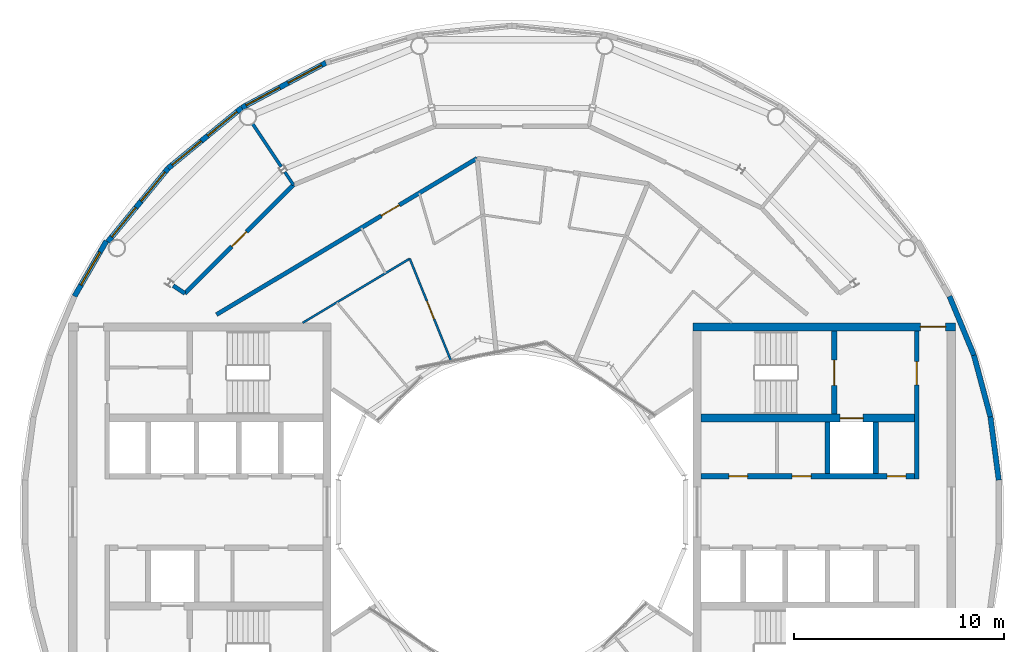
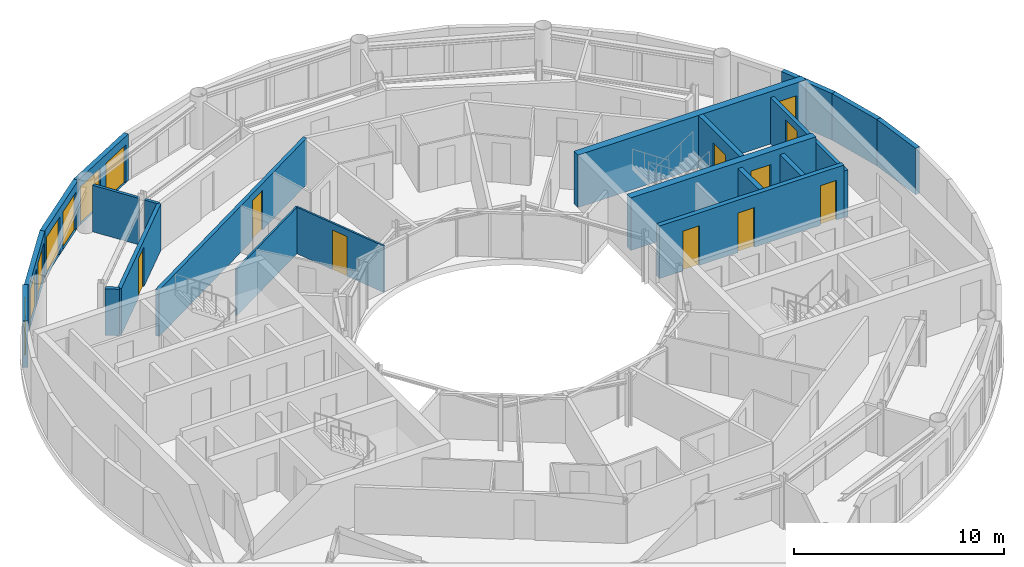
# One storey, part 12 of 17: 21 walls, 16 doors, 1 window, 17 openings.
"""IFC4 building model written with IfcOpenShell, lengths in metres."""

from ifc_helpers import new_model, si_unit, direction, frame, frame_2d, origin, place, context, subcontext, project, spatial, rectangle, extrude, material, layer, layer_set, type_object, element, fill, save


model = new_model("IFC4")

# Units and contexts
model_context = context("Model", 3, precision=1e-05, world=origin(), true_north=direction((0.0, 1.0)))
body_context = subcontext(model_context, "Body", "Model", "MODEL_VIEW")
ifc_project = project(units=[si_unit("LENGTHUNIT", "METRE"), si_unit("AREAUNIT", "SQUARE_METRE"), si_unit("VOLUMEUNIT", "CUBIC_METRE"), si_unit("PLANEANGLEUNIT", "RADIAN"), si_unit("MASSUNIT", "GRAM", prefix="KILO")], contexts=[model_context])

# Site, building, storey
site_placement = place(None, origin())
site = spatial("IfcSite", under=ifc_project, at=site_placement, CompositionType="ELEMENT")
building_placement = place(site_placement, origin())
building = spatial("IfcBuilding", under=site, at=building_placement, Name="Maasbend Ring Residences", CompositionType="ELEMENT")
storey_placement = place(building_placement, frame((0.0, 0.0, 249.300048828125)))
storey = spatial("IfcBuildingStorey", under=building, at=storey_placement, Name="L72", CompositionType="ELEMENT", Elevation=249.300048828125)

# Wall, openings, doors
ifc_material_1 = material(Name="Concrete C50/60", Category="concrete")
ifc_layer_1 = layer(ifc_material_1, 0.25)
ifc_layer_set_1 = layer_set([ifc_layer_1], Name="Concrete C50/60")
wall_type_1 = type_object("IfcWallType", Name="CORE WALL 250 C50/60", PredefinedType="SHEAR", material=ifc_layer_set_1)
wall_1_placement = place(storey_placement, frame((9.0, 1.699951171875, 0.0), z_axis=(0.0, 0.0, 1.0), x_axis=(1.0, 0.0, 0.0)))
wall_1 = element("IfcWall", 1, at=wall_1_placement, inside=storey, type_object=wall_type_1, Name="L72 core E wall SPN", PredefinedType="SHEAR", context=body_context, shape_type="SweptSolid", body=[
    extrude(rectangle(XDim=10.14990234375, YDim=0.25, at=frame_2d((5.074951171875, 0.0))), origin(), (0.0, 0.0, 1.0), 3.050048828125),
])
opening_1_placement = place(wall_1_placement, frame((1.3125, 0.0, 0.0)))
opening_1 = element("IfcOpeningElement", 2, at=opening_1_placement, cuts=wall_1, Name="Opening D-E7206", PredefinedType="OPENING", context=body_context, shape_type="SweptSolid", body=[
    extrude(rectangle(XDim=0.89990234375, YDim=2.300048828125, at=frame_2d((0.449951171875, 1.14990234375))), frame((0.0, 0.135009765625, 0.0), z_axis=(0.0, -1.0, 0.0), x_axis=(1.0, 0.0, 0.0)), (0.0, 0.0, 1.0), 0.27001953125),
])
opening_2_placement = place(wall_1_placement, frame((4.324951171875, 0.0, 0.0)))
opening_2 = element("IfcOpeningElement", 3, at=opening_2_placement, cuts=wall_1, Name="Opening D-E7207", PredefinedType="OPENING", context=body_context, shape_type="SweptSolid", body=[
    extrude(rectangle(XDim=0.89990234375, YDim=2.300048828125, at=frame_2d((0.449951171875, 1.14990234375))), frame((0.0, 0.135009765625, 0.0), z_axis=(0.0, -1.0, 0.0), x_axis=(1.0, 0.0, 0.0)), (0.0, 0.0, 1.0), 0.27001953125),
])
opening_3_placement = place(wall_1_placement, frame((8.83740234375, 0.0, 0.0)))
opening_3 = element("IfcOpeningElement", 4, at=opening_3_placement, cuts=wall_1, Name="Opening D-E7208", PredefinedType="OPENING", context=body_context, shape_type="SweptSolid", body=[
    extrude(rectangle(XDim=0.89990234375, YDim=2.300048828125, at=frame_2d((0.449951171875, 1.14990234375))), frame((0.0, 0.135009765625, 0.0), z_axis=(0.0, -1.0, 0.0), x_axis=(1.0, 0.0, 0.0)), (0.0, 0.0, 1.0), 0.27001953125),
])
ifc_material_2 = material(Name="Steel, powder coated", Category="steel")
door_type_1 = type_object("IfcDoorType", Name="ROOM DOOR 900 X 2300 FD30S", OperationType="NOTDEFINED", PredefinedType="DOOR", material=ifc_material_2)
door_1_placement = place(opening_1_placement, origin())
door_1 = element("IfcDoor", 5, at=door_1_placement, inside=storey, type_object=door_type_1, Name="Room door L72", OperationType="SINGLE_SWING_RIGHT", OverallHeight=2.300048828125, OverallWidth=0.89990234375, PredefinedType="DOOR", context=body_context, shape_type="SweptSolid", body=[
    extrude(rectangle(XDim=0.89990234375, YDim=2.300048828125, at=frame_2d((0.449951171875, 1.14990234375))), frame((0.0, 0.02490234375, 0.0), z_axis=(0.0, -1.0, 0.0), x_axis=(1.0, 0.0, 0.0)), (0.0, 0.0, 1.0), 0.050048828125),
])
fill(opening_1, door_1)
door_2_placement = place(opening_2_placement, origin())
door_2 = element("IfcDoor", 6, at=door_2_placement, inside=storey, type_object=door_type_1, Name="Room door L72", OperationType="SINGLE_SWING_RIGHT", OverallHeight=2.300048828125, OverallWidth=0.89990234375, PredefinedType="DOOR", context=body_context, shape_type="SweptSolid", body=[
    extrude(rectangle(XDim=0.89990234375, YDim=2.300048828125, at=frame_2d((0.449951171875, 1.14990234375))), frame((0.0, 0.02490234375, 0.0), z_axis=(0.0, -1.0, 0.0), x_axis=(1.0, 0.0, 0.0)), (0.0, 0.0, 1.0), 0.050048828125),
])
fill(opening_2, door_2)
door_3_placement = place(opening_3_placement, origin())
door_3 = element("IfcDoor", 7, at=door_3_placement, inside=storey, type_object=door_type_1, Name="Room door L72", OperationType="SINGLE_SWING_LEFT", OverallHeight=2.300048828125, OverallWidth=0.89990234375, PredefinedType="DOOR", context=body_context, shape_type="SweptSolid", body=[
    extrude(rectangle(XDim=0.89990234375, YDim=2.300048828125, at=frame_2d((0.449951171875, 1.14990234375))), frame((0.0, 0.02490234375, 0.0), z_axis=(0.0, -1.0, 0.0), x_axis=(1.0, 0.0, 0.0)), (0.0, 0.0, 1.0), 0.050048828125),
])
fill(opening_3, door_3)

# Wall, opening, door
wall_2_placement = place(storey_placement, frame((15.324951171875, 4.64990234375, 0.0), z_axis=(0.0, 0.0, 1.0), x_axis=(0.0, 1.0, 0.0)))
wall_2 = element("IfcWall", 8, at=wall_2_placement, inside=storey, type_object=wall_type_1, Name="L72 core E wall STEN", PredefinedType="SHEAR", context=body_context, shape_type="SweptSolid", body=[
    extrude(rectangle(XDim=3.9501953125, YDim=0.25, at=frame_2d((1.97509765625, 0.0))), origin(), (0.0, 0.0, 1.0), 3.050048828125),
])
opening_4_placement = place(wall_2_placement, frame((1.375, 0.0, 0.0)))
opening_4 = element("IfcOpeningElement", 9, at=opening_4_placement, cuts=wall_2, Name="Opening D-E7211", PredefinedType="OPENING", context=body_context, shape_type="SweptSolid", body=[
    extrude(rectangle(XDim=1.199951171875, YDim=2.300048828125, at=frame_2d((0.60009765625, 1.14990234375))), frame((0.0, 0.135009765625, 0.0), z_axis=(0.0, -1.0, 0.0), x_axis=(1.0, 0.0, 0.0)), (0.0, 0.0, 1.0), 0.27001953125),
])
ifc_material_3 = material(Name="Steel, powder coated", Category="steel")
door_type_2 = type_object("IfcDoorType", Name="STAIR DOOR 1200 X 2300 FD60", OperationType="NOTDEFINED", PredefinedType="DOOR", material=ifc_material_3)
door_4_placement = place(opening_4_placement, origin())
door_4 = element("IfcDoor", 10, at=door_4_placement, inside=storey, type_object=door_type_2, Name="Stair door ST-E L72", OperationType="SINGLE_SWING_LEFT", OverallHeight=2.300048828125, OverallWidth=1.199951171875, PredefinedType="DOOR", context=body_context, shape_type="SweptSolid", body=[
    extrude(rectangle(XDim=1.199951171875, YDim=2.300048828125, at=frame_2d((0.60009765625, 1.14990234375))), frame((0.0, 0.02490234375, 0.0), z_axis=(0.0, -1.0, 0.0), x_axis=(1.0, 0.0, 0.0)), (0.0, 0.0, 1.0), 0.050048828125),
])
fill(opening_4, door_4)

ifc_material_4 = material(Name="Concrete C50/60", Category="concrete")
ifc_layer_2 = layer(ifc_material_4, 0.375)
ifc_layer_set_2 = layer_set([ifc_layer_2], Name="Concrete C50/60")
wall_type_2 = type_object("IfcWallType", Name="CORE WALL 375 C50/60", PredefinedType="SHEAR", material=ifc_layer_set_2)
wall_3_placement = place(storey_placement, frame((9.0, 4.46240234375, 0.0), z_axis=(0.0, 0.0, 1.0), x_axis=(1.0, 0.0, 0.0)))
wall_3 = element("IfcWall", 11, at=wall_3_placement, inside=storey, type_object=wall_type_2, Name="L72 core E wall BN", PredefinedType="SHEAR", context=body_context, shape_type="SweptSolid", body=[
    extrude(rectangle(XDim=10.14990234375, YDim=0.375, at=frame_2d((5.074951171875, 0.0))), origin(), (0.0, 0.0, 1.0), 3.050048828125),
])
opening_5_placement = place(wall_3_placement, frame((6.60009765625, 0.0, 0.0)))
opening_5 = element("IfcOpeningElement", 12, at=opening_5_placement, cuts=wall_3, Name="Opening LD-E7201", PredefinedType="OPENING", context=body_context, shape_type="SweptSolid", body=[
    extrude(rectangle(XDim=1.10009765625, YDim=2.300048828125, at=frame_2d((0.550048828125, 1.14990234375))), frame((0.0, 0.197509765625, 0.0), z_axis=(0.0, -1.0, 0.0), x_axis=(1.0, 0.0, 0.0)), (0.0, 0.0, 1.0), 0.39501953125),
])
ifc_material_5 = material(Name="Stainless steel 316", Category="steel")
door_type_3 = type_object("IfcDoorType", Name="LANDING DOOR 1100 X 2300 FD60", OperationType="DOUBLE_DOOR_SLIDING", PredefinedType="DOOR", material=ifc_material_5)
door_5_placement = place(opening_5_placement, origin())
door_5 = element("IfcDoor", 13, at=door_5_placement, inside=storey, type_object=door_type_3, Name="Landing door FF-E L72", OperationType="DOUBLE_DOOR_SLIDING", OverallHeight=2.300048828125, OverallWidth=1.10009765625, PredefinedType="DOOR", context=body_context, shape_type="SweptSolid", body=[
    extrude(rectangle(XDim=1.10009765625, YDim=2.300048828125, at=frame_2d((0.550048828125, 1.14990234375))), frame((0.0, 0.02490234375, 0.0), z_axis=(0.0, -1.0, 0.0), x_axis=(1.0, 0.0, 0.0)), (0.0, 0.0, 1.0), 0.050048828125),
])
fill(opening_5, door_5)

ifc_material_6 = material(Name="Concrete C50/60", Category="concrete")
ifc_layer_3 = layer(ifc_material_6, 0.39990234375)
ifc_layer_set_3 = layer_set([ifc_layer_3], Name="Concrete C50/60")
wall_type_3 = type_object("IfcWallType", Name="CORE WALL 400 C50/60", PredefinedType="SHEAR", material=ifc_layer_set_3)
wall_4_placement = place(storey_placement, frame((21.10009765625, 8.800048828125, 0.0), z_axis=(0.0, 0.0, 1.0), x_axis=(-1.0, 0.0, 0.0)))
wall_4 = element("IfcWall", 14, at=wall_4_placement, inside=storey, type_object=wall_type_3, Name="L72 core E wall PN", PredefinedType="SHEAR", context=body_context, shape_type="SweptSolid", body=[
    extrude(rectangle(XDim=12.5, YDim=0.39990234375, at=frame_2d((6.25, 0.0))), origin(), (0.0, 0.0, 1.0), 3.050048828125),
])
opening_6_placement = place(wall_4_placement, frame((0.47509765625, 0.0, 0.0)))
opening_6 = element("IfcOpeningElement", 15, at=opening_6_placement, cuts=wall_4, Name="Opening D-E7215", PredefinedType="OPENING", context=body_context, shape_type="SweptSolid", body=[
    extrude(rectangle(XDim=1.199951171875, YDim=2.300048828125, at=frame_2d((0.60009765625, 1.14990234375))), frame((0.0, 0.2099609375, 0.0), z_axis=(0.0, -1.0, 0.0), x_axis=(1.0, 0.0, 0.0)), (0.0, 0.0, 1.0), 0.419921875),
])
ifc_material_7 = material(Name="Steel, powder coated", Category="steel")
door_type_4 = type_object("IfcDoorType", Name="CORRIDOR DOOR 1200 X 2300 FD30S", OperationType="NOTDEFINED", PredefinedType="DOOR", material=ifc_material_7)
door_6_placement = place(opening_6_placement, origin())
door_6 = element("IfcDoor", 16, at=door_6_placement, inside=storey, type_object=door_type_4, Name="Corridor door L72", OperationType="SINGLE_SWING_RIGHT", OverallHeight=2.300048828125, OverallWidth=1.199951171875, PredefinedType="DOOR", context=body_context, shape_type="SweptSolid", body=[
    extrude(rectangle(XDim=1.199951171875, YDim=2.300048828125, at=frame_2d((0.60009765625, 1.14990234375))), frame((0.0, 0.02490234375, 0.0), z_axis=(0.0, -1.0, 0.0), x_axis=(1.0, 0.0, 0.0)), (0.0, 0.0, 1.0), 0.050048828125),
])
fill(opening_6, door_6)

# Wall
ifc_material_8 = material(Name="Concrete C30/37", Category="concrete")
ifc_layer_4 = layer(ifc_material_8, 0.199951171875)
ifc_layer_set_4 = layer_set([ifc_layer_4], Name="Concrete C30/37")
wall_type_4 = type_object("IfcWallType", Name="CORRIDOR WALL 200 CONCRETE", PredefinedType="PARTITIONING", material=ifc_layer_set_4)
wall_5_placement = place(storey_placement, frame((-16.114013671875, 10.76708984375, 0.0), z_axis=(0.0, 0.0, 1.0), x_axis=(0.831601508083, -0.555372786292, 0.0)))
element("IfcWall", 17, at=wall_5_placement, inside=storey, type_object=wall_type_4, Name="U-L72-w018", PredefinedType="PARTITIONING", context=body_context, shape_type="SweptSolid", body=[
    extrude(rectangle(XDim=0.669921875, YDim=0.199951171875, at=frame_2d((0.3349609375, 0.0))), origin(), (0.0, 0.0, 1.0), 2.699951171875),
])

# Wall, opening, door
wall_6_placement = place(storey_placement, frame((-14.052001953125, 9.388916015625, 0.0), z_axis=(0.0, 0.0, 1.0), x_axis=(0.857683679102, 0.51417769944, 0.0)))
wall_6 = element("IfcWall", 18, at=wall_6_placement, inside=storey, type_object=wall_type_4, Name="U-L72-w063", PredefinedType="PARTITIONING", context=body_context, shape_type="SweptSolid", body=[
    extrude(rectangle(XDim=14.45068359375, YDim=0.199951171875, at=frame_2d((7.225341796875, 0.0))), origin(), (0.0, 0.0, 1.0), 2.699951171875),
])
opening_7_placement = place(wall_6_placement, frame((9.134033203125, 0.0, 0.0)))
opening_7 = element("IfcOpeningElement", 19, at=opening_7_placement, cuts=wall_6, Name="Opening D-7218", PredefinedType="OPENING", context=body_context, shape_type="SweptSolid", body=[
    extrude(rectangle(XDim=1.0, YDim=2.300048828125, at=frame_2d((0.5, 1.14990234375))), frame((0.0, 0.10986328125, 0.0), z_axis=(0.0, -1.0, 0.0), x_axis=(1.0, 0.0, 0.0)), (0.0, 0.0, 1.0), 0.219970703125),
])
ifc_material_9 = material(Name="Timber, fire-rated, painted", Category="wood")
door_type_5 = type_object("IfcDoorType", Name="FLAT ENTRANCE DOOR 1000 X 2300 FIRE-RATED", OperationType="NOTDEFINED", PredefinedType="DOOR", material=ifc_material_9)
door_7_placement = place(opening_7_placement, origin())
door_7 = element("IfcDoor", 20, at=door_7_placement, inside=storey, type_object=door_type_5, Name="D-7218", OperationType="SINGLE_SWING_RIGHT", OverallHeight=2.300048828125, OverallWidth=1.0, PredefinedType="DOOR", context=body_context, shape_type="SweptSolid", body=[
    extrude(rectangle(XDim=1.0, YDim=2.300048828125, at=frame_2d((0.5, 1.14990234375))), frame((0.0, 0.02490234375, 0.0), z_axis=(0.0, -1.0, 0.0), x_axis=(1.0, 0.0, 0.0)), (0.0, 0.0, 1.0), 0.050048828125),
])
fill(opening_7, door_7)

wall_7_placement = place(storey_placement, frame((-15.556884765625, 10.39501953125, 0.0), z_axis=(0.0, 0.0, 1.0), x_axis=(0.707106781187, 0.707106781187, 0.0)))
wall_7 = element("IfcWall", 21, at=wall_7_placement, inside=storey, type_object=wall_type_4, Name="U-L72-w067", PredefinedType="PARTITIONING", context=body_context, shape_type="SweptSolid", body=[
    extrude(rectangle(XDim=7.300048828125, YDim=0.199951171875, at=frame_2d((3.64990234375, 0.0))), origin(), (0.0, 0.0, 1.0), 2.699951171875),
])
opening_8_placement = place(wall_7_placement, frame((3.14990234375, 0.0, 0.0)))
opening_8 = element("IfcOpeningElement", 22, at=opening_8_placement, cuts=wall_7, Name="Opening D-7205", PredefinedType="OPENING", context=body_context, shape_type="SweptSolid", body=[
    extrude(rectangle(XDim=1.0, YDim=2.300048828125, at=frame_2d((0.5, 1.14990234375))), frame((0.0, 0.10986328125, 0.0), z_axis=(0.0, -1.0, 0.0), x_axis=(1.0, 0.0, 0.0)), (0.0, 0.0, 1.0), 0.219970703125),
])
ifc_material_10 = material(Name="Timber, painted", Category="wood")
door_type_6 = type_object("IfcDoorType", Name="ROOM DOOR 1000 X 2300", OperationType="NOTDEFINED", PredefinedType="DOOR", material=ifc_material_10)
door_8_placement = place(opening_8_placement, origin())
door_8 = element("IfcDoor", 23, at=door_8_placement, inside=storey, type_object=door_type_6, Name="D-7205", OperationType="SINGLE_SWING_LEFT", OverallHeight=2.300048828125, OverallWidth=1.0, PredefinedType="DOOR", context=body_context, shape_type="SweptSolid", body=[
    extrude(rectangle(XDim=1.0, YDim=2.300048828125, at=frame_2d((0.5, 1.14990234375))), frame((0.0, 0.02490234375, 0.0), z_axis=(0.0, -1.0, 0.0), x_axis=(1.0, 0.0, 0.0)), (0.0, 0.0, 1.0), 0.050048828125),
])
fill(opening_8, door_8)

# Wall, openings, doors
ifc_material_11 = material(Name="Aluminium clad insulated panel", Category="aluminium")
ifc_layer_5 = layer(ifc_material_11, 0.25)
ifc_layer_set_5 = layer_set([ifc_layer_5], Name="EW-GL")
wall_type_5 = type_object("IfcWallType", Name="EW-GL", PredefinedType="SOLIDWALL", material=ifc_layer_set_5)
wall_8_placement = place(storey_placement, frame((-8.85009765625, 21.364990234375, 0.0), z_axis=(0.0, 0.0, 1.0), x_axis=(-0.881912752543, -0.471412660947, 0.0)))
wall_8 = element("IfcWall", 24, at=wall_8_placement, inside=storey, type_object=wall_type_5, Name="External wall N08", PredefinedType="SOLIDWALL", context=body_context, shape_type="SweptSolid", body=[
    extrude(rectangle(XDim=4.533203125, YDim=0.25, at=frame_2d((2.2666015625, 0.0))), origin(), (0.0, 0.0, 1.0), 2.699951171875),
])
opening_9_placement = place(wall_8_placement, frame((0.236083984375, 0.0, 0.0)))
opening_9 = element("IfcOpeningElement", 25, at=opening_9_placement, cuts=wall_8, Name="Opening D-TR", PredefinedType="OPENING", context=body_context, shape_type="SweptSolid", body=[
    extrude(rectangle(XDim=1.800048828125, YDim=2.199951171875, at=frame_2d((0.89990234375, 1.10009765625))), frame((0.0, 0.135009765625, 0.0), z_axis=(0.0, -1.0, 0.0), x_axis=(1.0, 0.0, 0.0)), (0.0, 0.0, 1.0), 0.27001953125),
])
opening_10_placement = place(wall_8_placement, frame((2.497314453125, 0.0, 0.0)))
opening_10 = element("IfcOpeningElement", 26, at=opening_10_placement, cuts=wall_8, Name="Opening D-TR", PredefinedType="OPENING", context=body_context, shape_type="SweptSolid", body=[
    extrude(rectangle(XDim=1.800048828125, YDim=2.199951171875, at=frame_2d((0.89990234375, 1.10009765625))), frame((0.0, 0.135009765625, 0.0), z_axis=(0.0, -1.0, 0.0), x_axis=(1.0, 0.0, 0.0)), (0.0, 0.0, 1.0), 0.27001953125),
])
ifc_material_12 = material(Name="Aluminium and clear glass", Category="aluminium")
door_type_7 = type_object("IfcDoorType", Name="D-TR", OperationType="DOUBLE_DOOR_SINGLE_SWING", PredefinedType="DOOR", material=ifc_material_12)
door_9_placement = place(opening_9_placement, origin())
door_9 = element("IfcDoor", 27, at=door_9_placement, inside=storey, type_object=door_type_7, Name="Terrace door N15", OperationType="SINGLE_SWING_LEFT", OverallHeight=2.199951171875, OverallWidth=1.800048828125, PredefinedType="DOOR", context=body_context, shape_type="SweptSolid", body=[
    extrude(rectangle(XDim=1.800048828125, YDim=2.199951171875, at=frame_2d((0.89990234375, 1.10009765625))), frame((0.0, 0.02490234375, 0.0), z_axis=(0.0, -1.0, 0.0), x_axis=(1.0, 0.0, 0.0)), (0.0, 0.0, 1.0), 0.050048828125),
])
fill(opening_9, door_9)
door_10_placement = place(opening_10_placement, origin())
door_10 = element("IfcDoor", 28, at=door_10_placement, inside=storey, type_object=door_type_7, Name="Terrace door N16", OperationType="SINGLE_SWING_LEFT", OverallHeight=2.199951171875, OverallWidth=1.800048828125, PredefinedType="DOOR", context=body_context, shape_type="SweptSolid", body=[
    extrude(rectangle(XDim=1.800048828125, YDim=2.199951171875, at=frame_2d((0.89990234375, 1.10009765625))), frame((0.0, 0.02490234375, 0.0), z_axis=(0.0, -1.0, 0.0), x_axis=(1.0, 0.0, 0.0)), (0.0, 0.0, 1.0), 0.050048828125),
])
fill(opening_10, door_10)

wall_9_placement = place(storey_placement, frame((-12.847900390625, 19.22802734375, 0.0), z_axis=(0.0, 0.0, 1.0), x_axis=(-0.772989395532, -0.634418942337, 0.0)))
wall_9 = element("IfcWall", 29, at=wall_9_placement, inside=storey, type_object=wall_type_5, Name="External wall N09", PredefinedType="SOLIDWALL", context=body_context, shape_type="SweptSolid", body=[
    extrude(rectangle(XDim=4.533203125, YDim=0.25, at=frame_2d((2.2666015625, 0.0))), origin(), (0.0, 0.0, 1.0), 2.699951171875),
])
opening_11_placement = place(wall_9_placement, frame((0.300048828125, 0.0, 0.0)))
opening_11 = element("IfcOpeningElement", 30, at=opening_11_placement, cuts=wall_9, Name="Opening D-TR", PredefinedType="OPENING", context=body_context, shape_type="SweptSolid", body=[
    extrude(rectangle(XDim=1.800048828125, YDim=2.199951171875, at=frame_2d((0.89990234375, 1.10009765625))), frame((0.0, 0.135009765625, 0.0), z_axis=(0.0, -1.0, 0.0), x_axis=(1.0, 0.0, 0.0)), (0.0, 0.0, 1.0), 0.27001953125),
])
opening_12_placement = place(wall_9_placement, frame((2.497314453125, 0.0, 0.0)))
opening_12 = element("IfcOpeningElement", 31, at=opening_12_placement, cuts=wall_9, Name="Opening D-TR", PredefinedType="OPENING", context=body_context, shape_type="SweptSolid", body=[
    extrude(rectangle(XDim=1.800048828125, YDim=2.199951171875, at=frame_2d((0.89990234375, 1.10009765625))), frame((0.0, 0.135009765625, 0.0), z_axis=(0.0, -1.0, 0.0), x_axis=(1.0, 0.0, 0.0)), (0.0, 0.0, 1.0), 0.27001953125),
])
door_11_placement = place(opening_11_placement, origin())
door_11 = element("IfcDoor", 32, at=door_11_placement, inside=storey, type_object=door_type_7, Name="Terrace door N17", OperationType="SINGLE_SWING_LEFT", OverallHeight=2.199951171875, OverallWidth=1.800048828125, PredefinedType="DOOR", context=body_context, shape_type="SweptSolid", body=[
    extrude(rectangle(XDim=1.800048828125, YDim=2.199951171875, at=frame_2d((0.89990234375, 1.10009765625))), frame((0.0, 0.02490234375, 0.0), z_axis=(0.0, -1.0, 0.0), x_axis=(1.0, 0.0, 0.0)), (0.0, 0.0, 1.0), 0.050048828125),
])
fill(opening_11, door_11)
door_12_placement = place(opening_12_placement, origin())
door_12 = element("IfcDoor", 33, at=door_12_placement, inside=storey, type_object=door_type_7, Name="Terrace door N18", OperationType="SINGLE_SWING_LEFT", OverallHeight=2.199951171875, OverallWidth=1.800048828125, PredefinedType="DOOR", context=body_context, shape_type="SweptSolid", body=[
    extrude(rectangle(XDim=1.800048828125, YDim=2.199951171875, at=frame_2d((0.89990234375, 1.10009765625))), frame((0.0, 0.02490234375, 0.0), z_axis=(0.0, -1.0, 0.0), x_axis=(1.0, 0.0, 0.0)), (0.0, 0.0, 1.0), 0.050048828125),
])
fill(opening_12, door_12)

wall_10_placement = place(storey_placement, frame((-16.35205078125, 16.35205078125, 0.0), z_axis=(0.0, 0.0, 1.0), x_axis=(-0.634418942337, -0.772989395532, 0.0)))
wall_10 = element("IfcWall", 34, at=wall_10_placement, inside=storey, type_object=wall_type_5, Name="External wall N10", PredefinedType="SOLIDWALL", context=body_context, shape_type="SweptSolid", body=[
    extrude(rectangle(XDim=4.533203125, YDim=0.25, at=frame_2d((2.2666015625, 0.0))), origin(), (0.0, 0.0, 1.0), 2.699951171875),
])
opening_13_placement = place(wall_10_placement, frame((0.236083984375, 0.0, 0.0)))
opening_13 = element("IfcOpeningElement", 35, at=opening_13_placement, cuts=wall_10, Name="Opening D-TR", PredefinedType="OPENING", context=body_context, shape_type="SweptSolid", body=[
    extrude(rectangle(XDim=1.800048828125, YDim=2.199951171875, at=frame_2d((0.89990234375, 1.10009765625))), frame((0.0, 0.135009765625, 0.0), z_axis=(0.0, -1.0, 0.0), x_axis=(1.0, 0.0, 0.0)), (0.0, 0.0, 1.0), 0.27001953125),
])
opening_14_placement = place(wall_10_placement, frame((2.4267578125, 0.0, 0.0)))
opening_14 = element("IfcOpeningElement", 36, at=opening_14_placement, cuts=wall_10, Name="Opening D-TR", PredefinedType="OPENING", context=body_context, shape_type="SweptSolid", body=[
    extrude(rectangle(XDim=1.800048828125, YDim=2.199951171875, at=frame_2d((0.89990234375, 1.10009765625))), frame((0.0, 0.135009765625, 0.0), z_axis=(0.0, -1.0, 0.0), x_axis=(1.0, 0.0, 0.0)), (0.0, 0.0, 1.0), 0.27001953125),
])
door_13_placement = place(opening_13_placement, origin())
door_13 = element("IfcDoor", 37, at=door_13_placement, inside=storey, type_object=door_type_7, Name="Terrace door N19", OperationType="SINGLE_SWING_LEFT", OverallHeight=2.199951171875, OverallWidth=1.800048828125, PredefinedType="DOOR", context=body_context, shape_type="SweptSolid", body=[
    extrude(rectangle(XDim=1.800048828125, YDim=2.199951171875, at=frame_2d((0.89990234375, 1.10009765625))), frame((0.0, 0.02490234375, 0.0), z_axis=(0.0, -1.0, 0.0), x_axis=(1.0, 0.0, 0.0)), (0.0, 0.0, 1.0), 0.050048828125),
])
fill(opening_13, door_13)
door_14_placement = place(opening_14_placement, origin())
door_14 = element("IfcDoor", 38, at=door_14_placement, inside=storey, type_object=door_type_7, Name="Terrace door N20", OperationType="SINGLE_SWING_LEFT", OverallHeight=2.199951171875, OverallWidth=1.800048828125, PredefinedType="DOOR", context=body_context, shape_type="SweptSolid", body=[
    extrude(rectangle(XDim=1.800048828125, YDim=2.199951171875, at=frame_2d((0.89990234375, 1.10009765625))), frame((0.0, 0.02490234375, 0.0), z_axis=(0.0, -1.0, 0.0), x_axis=(1.0, 0.0, 0.0)), (0.0, 0.0, 1.0), 0.050048828125),
])
fill(opening_14, door_14)

# Wall, opening, window
ifc_material_13 = material(Name="Aluminium clad insulated panel", Category="aluminium")
ifc_layer_6 = layer(ifc_material_13, 0.25)
ifc_layer_set_6 = layer_set([ifc_layer_6], Name="EW-HORN")
wall_type_6 = type_object("IfcWallType", Name="EW-HORN", PredefinedType="SOLIDWALL", material=ifc_layer_set_6)
wall_11_placement = place(storey_placement, frame((-19.2900390625, 12.888916015625, 0.0), z_axis=(0.0, 0.0, 1.0), x_axis=(-0.499903546559, -0.866081084043, 0.0)))
wall_11 = element("IfcWall", 39, at=wall_11_placement, inside=storey, type_object=wall_type_6, Name="Horn wall 2.1", PredefinedType="SOLIDWALL", context=body_context, shape_type="SweptSolid", body=[
    extrude(rectangle(XDim=3.0341796875, YDim=0.25, at=frame_2d((1.51708984375, 0.0))), origin(), (0.0, 0.0, 1.0), 2.699951171875),
])
opening_15_placement = place(wall_11_placement, frame((0.617431640625, 0.0, 0.300048828125)))
opening_15 = element("IfcOpeningElement", 40, at=opening_15_placement, cuts=wall_11, Name="Opening W-BX", PredefinedType="OPENING", context=body_context, shape_type="SweptSolid", body=[
    extrude(rectangle(XDim=1.800048828125, YDim=2.10009765625, at=frame_2d((0.89990234375, 1.050048828125))), frame((0.0, 0.135009765625, 0.0), z_axis=(0.0, -1.0, 0.0), x_axis=(1.0, 0.0, 0.0)), (0.0, 0.0, 1.0), 0.27001953125),
])
ifc_material_14 = material(Name="Aluminium and clear glass", Category="aluminium")
window_type = type_object("IfcWindowType", Name="W-BX", PartitioningType="DOUBLE_PANEL_VERTICAL", PredefinedType="WINDOW", material=ifc_material_14)
window_placement = place(opening_15_placement, origin())
window = element("IfcWindow", 41, at=window_placement, inside=storey, type_object=window_type, Name="Horn window 2.1", OverallHeight=2.10009765625, OverallWidth=1.800048828125, PartitioningType="SINGLE_PANEL", PredefinedType="WINDOW", context=body_context, shape_type="SweptSolid", body=[
    extrude(rectangle(XDim=1.800048828125, YDim=2.10009765625, at=frame_2d((0.89990234375, 1.050048828125))), frame((0.0, 0.030029296875, 0.0), z_axis=(0.0, -1.0, 0.0), x_axis=(1.0, 0.0, 0.0)), (0.0, 0.0, 1.0), 0.06005859375),
])
fill(opening_15, window)

# Walls
ifc_material_15 = material(Name="Louvred aluminium panel", Category="aluminium")
ifc_layer_7 = layer(ifc_material_15, 0.25)
ifc_layer_set_7 = layer_set([ifc_layer_7], Name="EW-LV")
wall_type_7 = type_object("IfcWallType", Name="EW-LV", PredefinedType="SOLIDWALL", material=ifc_layer_set_7)
wall_12_placement = place(storey_placement, frame((23.14990234375, 1.51708984375, 0.0), z_axis=(0.0, 0.0, 1.0), x_axis=(-0.130487809173, 0.991449913842, 0.0)))
element("IfcWall", 42, at=wall_12_placement, inside=storey, type_object=wall_type_7, Name="Horn wall 1.6", PredefinedType="SOLIDWALL", context=body_context, shape_type="SweptSolid", body=[
    extrude(rectangle(XDim=3.03466796875, YDim=0.25, at=frame_2d((1.517333984375, 0.0))), origin(), (0.0, 0.0, 1.0), 2.699951171875),
])
wall_13_placement = place(storey_placement, frame((22.75390625, 4.52587890625, 0.0), z_axis=(0.0, 0.0, 1.0), x_axis=(-0.258669057101, 0.965966002972, 0.0)))
element("IfcWall", 43, at=wall_13_placement, inside=storey, type_object=wall_type_7, Name="Horn wall 1.7", PredefinedType="SOLIDWALL", context=body_context, shape_type="SweptSolid", body=[
    extrude(rectangle(XDim=3.034423828125, YDim=0.25, at=frame_2d((1.51708984375, 0.0))), origin(), (0.0, 0.0, 1.0), 2.699951171875),
])
wall_14_placement = place(storey_placement, frame((21.968994140625, 7.45703125, 0.0), z_axis=(0.0, 0.0, 1.0), x_axis=(-0.382872724993, 0.923801102216, 0.0)))
element("IfcWall", 44, at=wall_14_placement, inside=storey, type_object=wall_type_7, Name="Horn wall 1.8", PredefinedType="SOLIDWALL", context=body_context, shape_type="SweptSolid", body=[
    extrude(rectangle(XDim=3.03515625, YDim=0.25, at=frame_2d((1.517578125, 0.0))), origin(), (0.0, 0.0, 1.0), 2.699951171875),
])

# Wall, opening, door
ifc_material_16 = material(Name="Gypsum board on steel studs", Category="steel")
ifc_layer_8 = layer(ifc_material_16, 0.10009765625)
ifc_layer_set_8 = layer_set([ifc_layer_8], Name="PARTITION 100 GYPSUM")
wall_type_8 = type_object("IfcWallType", Name="PARTITION 100 GYPSUM", PredefinedType="PARTITIONING", material=ifc_layer_set_8)
wall_15_placement = place(storey_placement, frame((-4.864013671875, 12.051025390625, 0.0), z_axis=(0.0, 0.0, 1.0), x_axis=(0.374372761824, -0.927278294367, 0.0)))
wall_15 = element("IfcWall", 45, at=wall_15_placement, inside=storey, type_object=wall_type_8, Name="U-L72-w027", PredefinedType="PARTITIONING", context=body_context, shape_type="SweptSolid", body=[
    extrude(rectangle(XDim=5.275634765625, YDim=0.10009765625, at=frame_2d((2.6376953125, 0.0))), origin(), (0.0, 0.0, 1.0), 2.699951171875),
])
opening_16_placement = place(wall_15_placement, frame((2.18798828125, 0.0, 0.0)))
opening_16 = element("IfcOpeningElement", 46, at=opening_16_placement, cuts=wall_15, Name="Opening D-7221", PredefinedType="OPENING", context=body_context, shape_type="SweptSolid", body=[
    extrude(rectangle(XDim=0.89990234375, YDim=2.300048828125, at=frame_2d((0.449951171875, 1.14990234375))), frame((0.0, 0.06005859375, 0.0), z_axis=(0.0, -1.0, 0.0), x_axis=(1.0, 0.0, 0.0)), (0.0, 0.0, 1.0), 0.1201171875),
])
ifc_material_17 = material(Name="Timber, painted", Category="wood")
door_type_8 = type_object("IfcDoorType", Name="INTERNAL DOOR 900 X 2300", OperationType="NOTDEFINED", PredefinedType="DOOR", material=ifc_material_17)
door_15_placement = place(opening_16_placement, origin())
door_15 = element("IfcDoor", 47, at=door_15_placement, inside=storey, type_object=door_type_8, Name="D-7221", OperationType="SINGLE_SWING_RIGHT", OverallHeight=2.300048828125, OverallWidth=0.89990234375, PredefinedType="DOOR", context=body_context, shape_type="SweptSolid", body=[
    extrude(rectangle(XDim=0.89990234375, YDim=2.300048828125, at=frame_2d((0.449951171875, 1.14990234375))), frame((0.0, 0.02490234375, 0.0), z_axis=(0.0, -1.0, 0.0), x_axis=(1.0, 0.0, 0.0)), (0.0, 0.0, 1.0), 0.050048828125),
])
fill(opening_16, door_15)

# Walls
wall_16_placement = place(storey_placement, frame((-9.955078125, 8.99609375, 0.0), z_axis=(0.0, 0.0, 1.0), x_axis=(0.857587239633, 0.514338532894, 0.0)))
element("IfcWall", 48, at=wall_16_placement, inside=storey, type_object=wall_type_8, Name="U-L72-w057", PredefinedType="PARTITIONING", context=body_context, shape_type="SweptSolid", body=[
    extrude(rectangle(XDim=5.937744140625, YDim=0.10009765625, at=frame_2d((2.96875, 0.0))), origin(), (0.0, 0.0, 1.0), 2.699951171875),
])
ifc_material_18 = material(Name="Gypsum board on steel studs", Category="steel")
ifc_layer_9 = layer(ifc_material_18, 0.14990234375)
ifc_layer_set_9 = layer_set([ifc_layer_9], Name="PARTITION 150 GYPSUM")
wall_type_9 = type_object("IfcWallType", Name="PARTITION 150 GYPSUM", PredefinedType="PARTITIONING", material=ifc_layer_set_9)
wall_17_placement = place(storey_placement, frame((-12.333984375, 18.4599609375, 0.0), z_axis=(0.0, 0.0, 1.0), x_axis=(0.55541269892, -0.831574851639, 0.0)))
element("IfcWall", 49, at=wall_17_placement, inside=storey, type_object=wall_type_9, Name="U-L72-w019", PredefinedType="PARTITIONING", context=body_context, shape_type="SweptSolid", body=[
    extrude(rectangle(XDim=2.45068359375, YDim=0.14990234375, at=frame_2d((1.225341796875, 0.0))), origin(), (0.0, 0.0, 1.0), 2.699951171875),
])
wall_18_placement = place(storey_placement, frame((-10.805908203125, 16.172119140625, 0.0), z_axis=(0.0, 0.0, 1.0), x_axis=(0.55538538696, -0.831593092775, 0.0)))
element("IfcWall", 50, at=wall_18_placement, inside=storey, type_object=wall_type_9, Name="U-L72-w021", PredefinedType="PARTITIONING", context=body_context, shape_type="SweptSolid", body=[
    extrude(rectangle(XDim=0.73974609375, YDim=0.14990234375, at=frame_2d((0.369873046875, 0.0))), origin(), (0.0, 0.0, 1.0), 2.699951171875),
])

# Wall, opening, door
ifc_material_19 = material(Name="Concrete C30/37", Category="concrete")
ifc_layer_10 = layer(ifc_material_19, 0.199951171875)
ifc_layer_set_10 = layer_set([ifc_layer_10], Name="Concrete C30/37")
wall_type_10 = type_object("IfcWallType", Name="SHAFT WALL 200 EI 120", PredefinedType="SOLIDWALL", material=ifc_layer_set_10)
wall_19_placement = place(storey_placement, frame((19.25, 1.574951171875, 0.0), z_axis=(0.0, 0.0, 1.0), x_axis=(0.0, 1.0, 0.0)))
wall_19 = element("IfcWall", 51, at=wall_19_placement, inside=storey, type_object=wall_type_10, Name="L72 core E wall ENDN", PredefinedType="SOLIDWALL", context=body_context, shape_type="SweptSolid", body=[
    extrude(rectangle(XDim=7.025146484375, YDim=0.199951171875, at=frame_2d((3.5126953125, 0.0))), origin(), (0.0, 0.0, 1.0), 2.699951171875),
])
opening_17_placement = place(wall_19_placement, frame((4.47509765625, 0.0, 0.0)))
opening_17 = element("IfcOpeningElement", 52, at=opening_17_placement, cuts=wall_19, Name="Opening D-E7213", PredefinedType="OPENING", context=body_context, shape_type="SweptSolid", body=[
    extrude(rectangle(XDim=1.10009765625, YDim=2.300048828125, at=frame_2d((0.550048828125, 1.14990234375))), frame((0.0, 0.10986328125, 0.0), z_axis=(0.0, -1.0, 0.0), x_axis=(1.0, 0.0, 0.0)), (0.0, 0.0, 1.0), 0.219970703125),
])
ifc_material_20 = material(Name="Steel, powder coated", Category="steel")
door_type_9 = type_object("IfcDoorType", Name="LOBBY DOOR 1100 X 2300 FD60", OperationType="NOTDEFINED", PredefinedType="DOOR", material=ifc_material_20)
door_16_placement = place(opening_17_placement, origin())
door_16 = element("IfcDoor", 53, at=door_16_placement, inside=storey, type_object=door_type_9, Name="Lobby door L72", OperationType="SINGLE_SWING_LEFT", OverallHeight=2.300048828125, OverallWidth=1.10009765625, PredefinedType="DOOR", context=body_context, shape_type="SweptSolid", body=[
    extrude(rectangle(XDim=1.10009765625, YDim=2.300048828125, at=frame_2d((0.550048828125, 1.14990234375))), frame((0.0, 0.02490234375, 0.0), z_axis=(0.0, -1.0, 0.0), x_axis=(1.0, 0.0, 0.0)), (0.0, 0.0, 1.0), 0.050048828125),
])
fill(opening_17, door_16)

# Walls
ifc_material_21 = material(Name="Concrete C30/37", Category="concrete")
ifc_layer_11 = layer(ifc_material_21, 0.25)
ifc_layer_set_11 = layer_set([ifc_layer_11], Name="Concrete C30/37")
wall_type_11 = type_object("IfcWallType", Name="SHAFT WALL 250 EI 120", PredefinedType="SOLIDWALL", material=ifc_layer_set_11)
for number, where, z_axis, x_axis, name in (
    (54, (15.0, 1.824951171875, 0.0), (0.0, 0.0, 1.0), (0.0, 1.0, 0.0), "L72 core E wall D150N"),
    (55, (17.300048828125, 1.824951171875, 0.0), (0.0, 0.0, 1.0), (0.0, 1.0, 0.0), "L72 core E wall D173N"),
):
    element("IfcWall", number, at=place(storey_placement, frame(where, z_axis=z_axis, x_axis=x_axis)), inside=storey, type_object=wall_type_11, Name=name, PredefinedType="SOLIDWALL", context=body_context, shape_type="SweptSolid", body=[
        extrude(rectangle(XDim=2.449951171875, YDim=0.25, at=frame_2d((1.22509765625, 0.0))), origin(), (0.0, 0.0, 1.0), 2.699951171875),
    ])

save(model, "model.ifc")
